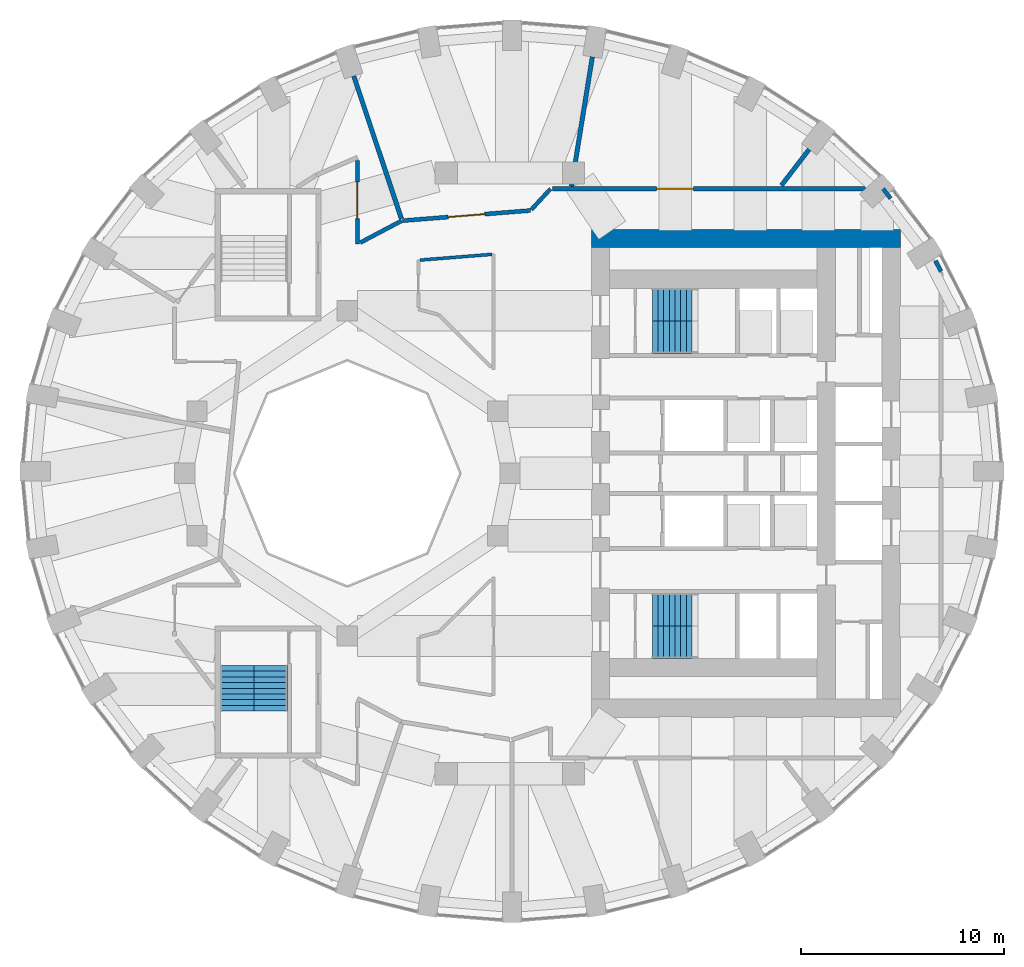
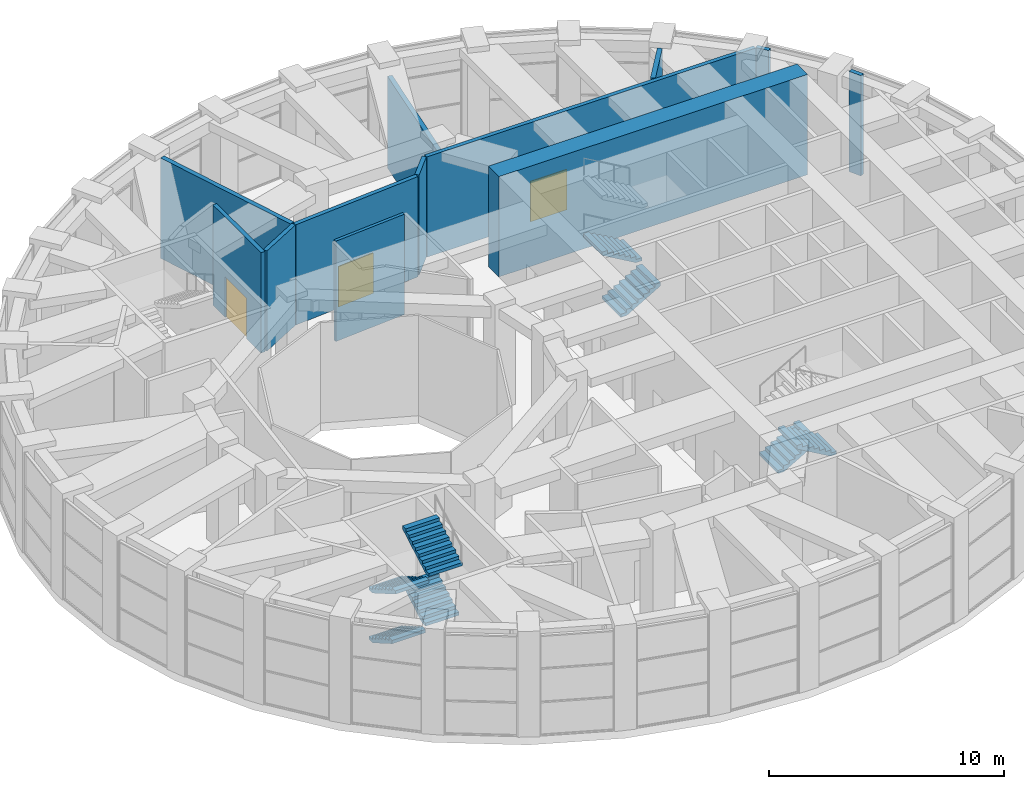
# One storey, part 14 of 17: 12 walls, 8 stair flights, 3 doors, 3 openings, 3 elements without a shape of their own.
"""IFC4 building model written with IfcOpenShell, lengths in metres."""

from ifc_helpers import new_model, si_unit, direction, frame, frame_2d, origin, place, context, subcontext, project, spatial, polyline, rectangle, outline, extrude, material, layer, layer_set, type_object, element, fill, aggregate, save


model = new_model("IFC4")

# Units and contexts
model_context = context("Model", 3, precision=1e-05, world=origin(), true_north=direction((0.0, 1.0)))
body_context = subcontext(model_context, "Body", "Model", "MODEL_VIEW")
ifc_project = project(units=[si_unit("LENGTHUNIT", "METRE"), si_unit("AREAUNIT", "SQUARE_METRE"), si_unit("VOLUMEUNIT", "CUBIC_METRE"), si_unit("PLANEANGLEUNIT", "RADIAN"), si_unit("MASSUNIT", "GRAM", prefix="KILO")], contexts=[model_context])

# Site, building, storey
site_placement = place(None, origin())
site = spatial("IfcSite", under=ifc_project, at=site_placement, CompositionType="ELEMENT")
building_placement = place(site_placement, origin())
building = spatial("IfcBuilding", under=site, at=building_placement, Name="Taillehof Tower", CompositionType="ELEMENT")
storey_placement = place(building_placement, frame((0.0, 0.0, 139.60009765625)))
storey = spatial("IfcBuildingStorey", under=building, at=storey_placement, Name="L39", CompositionType="ELEMENT", Elevation=139.60009765625)

# Wall, opening, door
ifc_material_1 = material(Name="Gypsum board on steel studs, two layers each side", Category="steel")
ifc_layer_1 = layer(ifc_material_1, 0.199951171875)
ifc_layer_set_1 = layer_set([ifc_layer_1], Name="Compartment wall corridor 200")
wall_type_1 = type_object("IfcWallType", Name="Compartment wall corridor 200", PredefinedType="PARTITIONING", material=ifc_layer_set_1)
wall_1_placement = place(storey_placement, frame((-7.5, 15.38037109375, 0.0), z_axis=(0.0, 0.0, 1.0), x_axis=(0.0, -1.0, 0.0)))
wall_1 = element("IfcWall", 1, at=wall_1_placement, inside=storey, type_object=wall_type_1, Name="Compartment wall", PredefinedType="PARTITIONING", context=body_context, shape_type="SweptSolid", body=[
    extrude(rectangle(XDim=4.103759765625, YDim=0.199951171875, at=frame_2d((2.0517578125, 0.0))), origin(), (0.0, 0.0, 1.0), 5.219970703125),
])
opening_1_placement = place(wall_1_placement, frame((1.04833984375, 0.0, 0.0)))
opening_1 = element("IfcOpeningElement", 2, at=opening_1_placement, cuts=wall_1, Name="Opening D3942", PredefinedType="OPENING", context=body_context, shape_type="SweptSolid", body=[
    extrude(rectangle(XDim=1.800048828125, YDim=2.10009765625, at=frame_2d((0.89990234375, 1.050048828125))), frame((0.0, 0.10986328125, 0.0), z_axis=(0.0, -1.0, 0.0), x_axis=(1.0, 0.0, 0.0)), (0.0, 0.0, 1.0), 0.219970703125),
])
ifc_material_2 = material(Name="Timber door leaf in steel frame", Category="steel")
door_type = type_object("IfcDoorType", Name="Lounge and meeting room double door EI 30 1800 x 2100", OperationType="SINGLE_SWING_LEFT", PredefinedType="DOOR", material=ifc_material_2)
door_1_placement = place(opening_1_placement, origin())
door_1 = element("IfcDoor", 3, at=door_1_placement, inside=storey, type_object=door_type, Name="D3942", OperationType="DOUBLE_DOOR_SINGLE_SWING", OverallHeight=2.10009765625, OverallWidth=1.800048828125, PredefinedType="DOOR", context=body_context, shape_type="SweptSolid", body=[
    extrude(rectangle(XDim=1.800048828125, YDim=2.10009765625, at=frame_2d((0.89990234375, 1.050048828125))), frame((0.0, 0.02490234375, 0.0), z_axis=(0.0, -1.0, 0.0), x_axis=(1.0, 0.0, 0.0)), (0.0, 0.0, 1.0), 0.050048828125),
])
fill(opening_1, door_1)

# Wall
wall_2_placement = place(storey_placement, frame((-7.359375, 11.350830078125, 0.0), z_axis=(0.0, 0.0, 1.0), x_axis=(0.884221521194, 0.467067769663, 0.0)))
element("IfcWall", 4, at=wall_2_placement, inside=storey, type_object=wall_type_1, Name="Compartment wall", PredefinedType="PARTITIONING", context=body_context, shape_type="SweptSolid", body=[
    extrude(rectangle(XDim=2.298828125, YDim=0.199951171875, at=frame_2d((1.1494140625, 0.0))), origin(), (0.0, 0.0, 1.0), 5.219970703125),
])

# Wall, opening, door
wall_3_placement = place(storey_placement, frame((-5.28662109375, 12.427978515625, 0.0), z_axis=(0.0, 0.0, 1.0), x_axis=(0.996833679726, 0.079514872592, 0.0)))
wall_3 = element("IfcWall", 5, at=wall_3_placement, inside=storey, type_object=wall_type_1, Name="Compartment wall", PredefinedType="PARTITIONING", context=body_context, shape_type="SweptSolid", body=[
    extrude(rectangle(XDim=6.31884765625, YDim=0.199951171875, at=frame_2d((3.159423828125, 0.0))), origin(), (0.0, 0.0, 1.0), 5.219970703125),
])
opening_2_placement = place(wall_3_placement, frame((2.259521484375, 0.0, 0.0)))
opening_2 = element("IfcOpeningElement", 6, at=opening_2_placement, cuts=wall_3, Name="Opening D3941", PredefinedType="OPENING", context=body_context, shape_type="SweptSolid", body=[
    extrude(rectangle(XDim=1.800048828125, YDim=2.10009765625, at=frame_2d((0.89990234375, 1.050048828125))), frame((0.0, 0.10986328125, 0.0), z_axis=(0.0, -1.0, 0.0), x_axis=(1.0, 0.0, 0.0)), (0.0, 0.0, 1.0), 0.219970703125),
])
door_2_placement = place(opening_2_placement, origin())
door_2 = element("IfcDoor", 7, at=door_2_placement, inside=storey, type_object=door_type, Name="D3941", OperationType="DOUBLE_DOOR_SINGLE_SWING", OverallHeight=2.10009765625, OverallWidth=1.800048828125, PredefinedType="DOOR", context=body_context, shape_type="SweptSolid", body=[
    extrude(rectangle(XDim=1.800048828125, YDim=2.10009765625, at=frame_2d((0.89990234375, 1.050048828125))), frame((0.0, 0.02490234375, 0.0), z_axis=(0.0, -1.0, 0.0), x_axis=(1.0, 0.0, 0.0)), (0.0, 0.0, 1.0), 0.050048828125),
])
fill(opening_2, door_2)

# Wall
wall_4_placement = place(storey_placement, frame((1.05322265625, 12.974365234375, 0.0), z_axis=(0.0, 0.0, 1.0), x_axis=(0.67829463173, 0.73479003298, 0.0)))
element("IfcWall", 8, at=wall_4_placement, inside=storey, type_object=wall_type_1, Name="Compartment wall", PredefinedType="PARTITIONING", context=body_context, shape_type="SweptSolid", body=[
    extrude(rectangle(XDim=1.395751953125, YDim=0.199951171875, at=frame_2d((0.69775390625, 0.0))), origin(), (0.0, 0.0, 1.0), 5.219970703125),
])

# Wall, opening, door
wall_5_placement = place(storey_placement, frame((2.080078125, 14.0, 0.0), z_axis=(0.0, 0.0, 1.0), x_axis=(1.0, 0.0, 0.0)))
wall_5 = element("IfcWall", 9, at=wall_5_placement, inside=storey, type_object=wall_type_1, Name="Compartment wall", PredefinedType="PARTITIONING", context=body_context, shape_type="SweptSolid", body=[
    extrude(rectangle(XDim=16.189208984375, YDim=0.199951171875, at=frame_2d((8.0947265625, 0.0))), origin(), (0.0, 0.0, 1.0), 5.219970703125),
])
opening_3_placement = place(wall_5_placement, frame((5.13525390625, 0.0, 0.0)))
opening_3 = element("IfcOpeningElement", 10, at=opening_3_placement, cuts=wall_5, Name="Opening D3940", PredefinedType="OPENING", context=body_context, shape_type="SweptSolid", body=[
    extrude(rectangle(XDim=1.800048828125, YDim=2.10009765625, at=frame_2d((0.89990234375, 1.050048828125))), frame((0.0, 0.10986328125, 0.0), z_axis=(0.0, -1.0, 0.0), x_axis=(1.0, 0.0, 0.0)), (0.0, 0.0, 1.0), 0.219970703125),
])
door_3_placement = place(opening_3_placement, origin())
door_3 = element("IfcDoor", 11, at=door_3_placement, inside=storey, type_object=door_type, Name="D3940", OperationType="DOUBLE_DOOR_SINGLE_SWING", OverallHeight=2.10009765625, OverallWidth=1.800048828125, PredefinedType="DOOR", context=body_context, shape_type="SweptSolid", body=[
    extrude(rectangle(XDim=1.800048828125, YDim=2.10009765625, at=frame_2d((0.89990234375, 1.050048828125))), frame((0.0, 0.02490234375, 0.0), z_axis=(0.0, -1.0, 0.0), x_axis=(1.0, 0.0, 0.0)), (0.0, 0.0, 1.0), 0.050048828125),
])
fill(opening_3, door_3)

# Walls
wall_6_placement = place(storey_placement, frame((18.3544921875, 14.0, 0.0), z_axis=(0.0, 0.0, 1.0), x_axis=(0.606619189458, -0.794992552784, 0.0)))
element("IfcWall", 12, at=wall_6_placement, inside=storey, type_object=wall_type_1, Name="Compartment wall", PredefinedType="PARTITIONING", context=body_context, shape_type="SweptSolid", body=[
    extrude(rectangle(XDim=0.60009765625, YDim=0.199951171875, at=frame_2d((0.300048828125, 0.0))), origin(), (0.0, 0.0, 1.0), 5.219970703125),
])
wall_7_placement = place(storey_placement, frame((21.199951171875, 9.92724609375, 0.0), z_axis=(0.0, 0.0, 1.0), x_axis=(-0.452901397057, 0.891560611817, 0.0)))
element("IfcWall", 13, at=wall_7_placement, inside=storey, type_object=wall_type_1, Name="Compartment wall", PredefinedType="PARTITIONING", context=body_context, shape_type="SweptSolid", body=[
    extrude(rectangle(XDim=0.599853515625, YDim=0.199951171875, at=frame_2d((0.2998046875, 0.0))), origin(), (0.0, 0.0, 1.0), 5.219970703125),
])
ifc_material_3 = material(Name="Gypsum board on double steel studs with mineral wool", Category="steel")
ifc_layer_2 = layer(ifc_material_3, 0.219970703125)
ifc_layer_set_2 = layer_set([ifc_layer_2], Name="Compartment wall guest room 220")
wall_type_2 = type_object("IfcWallType", Name="Compartment wall guest room 220", PredefinedType="PARTITIONING", material=ifc_layer_set_2)
wall_8_placement = place(storey_placement, frame((14.7158203125, 15.937255859375, 0.0), z_axis=(0.0, 0.0, 1.0), x_axis=(-0.610021701862, -0.792384706602, 0.0)))
element("IfcWall", 14, at=wall_8_placement, inside=storey, type_object=wall_type_2, Name="Compartment wall", PredefinedType="PARTITIONING", context=body_context, shape_type="SweptSolid", body=[
    extrude(rectangle(XDim=2.238525390625, YDim=0.219970703125, at=frame_2d((1.119140625, 0.0))), origin(), (0.0, 0.0, 1.0), 5.219970703125),
])
wall_9_placement = place(storey_placement, frame((4.05224609375, 20.483642578125, 0.0), z_axis=(0.0, 0.0, 1.0), x_axis=(-0.159705125946, -0.987164764741, 0.0)))
element("IfcWall", 15, at=wall_9_placement, inside=storey, type_object=wall_type_2, Name="Compartment wall", PredefinedType="PARTITIONING", context=body_context, shape_type="SweptSolid", body=[
    extrude(rectangle(XDim=6.446533203125, YDim=0.219970703125, at=frame_2d((3.22314453125, 0.0))), origin(), (0.0, 0.0, 1.0), 4.77001953125),
])
wall_10_placement = place(storey_placement, frame((-7.682861328125, 19.544921875, 0.0), z_axis=(0.0, 0.0, 1.0), x_axis=(0.316712792199, -0.948521484869, 0.0)))
element("IfcWall", 16, at=wall_10_placement, inside=storey, type_object=wall_type_2, Name="Compartment wall", PredefinedType="PARTITIONING", context=body_context, shape_type="SweptSolid", body=[
    extrude(rectangle(XDim=7.398681640625, YDim=0.219970703125, at=frame_2d((3.69921875, 0.0))), origin(), (0.0, 0.0, 1.0), 5.219970703125),
])
ifc_material_4 = material(Name="Gypsum board on steel studs, two layers each side", Category="steel")
ifc_layer_3 = layer(ifc_material_4, 0.14990234375)
ifc_layer_set_3 = layer_set([ifc_layer_3], Name="Compartment wall service room 150")
wall_type_3 = type_object("IfcWallType", Name="Compartment wall service room 150", PredefinedType="PARTITIONING", material=ifc_layer_set_3)
wall_11_placement = place(storey_placement, frame((-4.419921875, 10.490966796875, 0.0), z_axis=(0.0, 0.0, 1.0), x_axis=(0.996852986173, 0.079272466588, 0.0)))
element("IfcWall", 17, at=wall_11_placement, inside=storey, type_object=wall_type_3, Name="Compartment wall", PredefinedType="PARTITIONING", context=body_context, shape_type="SweptSolid", body=[
    extrude(rectangle(XDim=3.551025390625, YDim=0.14990234375, at=frame_2d((1.775390625, 0.0))), origin(), (0.0, 0.0, 1.0), 5.219970703125),
])
ifc_material_5 = material(Name="Concrete C80/95", Category="concrete")
ifc_layer_4 = layer(ifc_material_5, 0.89990234375)
ifc_layer_set_4 = layer_set([ifc_layer_4], Name="Core wall C80/95 900")
wall_type_4 = type_object("IfcWallType", Name="Core wall C80/95 900", PredefinedType="SHEAR", material=ifc_layer_set_4)
wall_12_placement = place(storey_placement, frame((4.0, 11.550048828125, 0.0), z_axis=(0.0, 0.0, 1.0), x_axis=(1.0, 0.0, 0.0)))
element("IfcWall", 18, at=wall_12_placement, inside=storey, type_object=wall_type_4, Name="Core wall CW03", PredefinedType="SHEAR", context=body_context, shape_type="SweptSolid", body=[
    extrude(rectangle(XDim=15.199951171875, YDim=0.89990234375, at=frame_2d((7.60009765625, 0.0))), origin(), (0.0, 0.0, 1.0), 5.219970703125),
])

# Stair, stair flights
ifc_material_6 = material(Name="Concrete C40/50", Category="concrete")
stair_type = type_object("IfcStairType", Name="Exit stair half-turn", PredefinedType="HALF_TURN_STAIR", material=ifc_material_6)
stair_1_placement = place(storey_placement, origin())
stair_1 = element("IfcStair", 19, at=stair_1_placement, inside=storey, type_object=stair_type, Name="Exit stair S1", PredefinedType="HALF_TURN_STAIR")
ifc_material_7 = material(Name="Concrete C40/50", Category="concrete")
stair_flight_type_1 = type_object("IfcStairFlightType", Name="Stair flight 1600 riser 161.8 going 280", PredefinedType="STRAIGHT", material=ifc_material_7)
stair_flight_1_placement = place(storey_placement, frame((7.0, 6.699951171875, 0.0), z_axis=(0.0, 0.0, 1.0), x_axis=(1.0, 0.0, 0.0)))
stair_flight_1 = element("IfcStairFlight", 20, at=stair_flight_1_placement, type_object=stair_flight_type_1, Name="S1 flight 1", NumberOfRisers=8, NumberOfTreads=7, PredefinedType="STRAIGHT", RiserHeight=0.161764706, TreadLength=0.28, context=body_context, shape_type="SweptSolid", body=[
    extrude(outline(polyline([(0.0, 0.0), (0.0, 0.006591796875), (0.0, 0.012939453125), (0.0, 0.01953125), (0.0, 0.02587890625), (0.0, 0.032470703125), (0.0, 0.038818359375), (0.0, 0.04541015625), (0.0, 0.0517578125), (0.0, 0.058349609375), (0.0, 0.064697265625), (0.0, 0.0712890625), (0.0, 0.07763671875), (0.0, 0.084228515625), (0.0, 0.090576171875), (0.0, 0.09716796875), (0.0, 0.103515625), (0.0, 0.110107421875), (0.0, 0.116455078125), (0.0, 0.123046875), (0.0, 0.12939453125), (0.0, 0.135986328125), (0.0, 0.142333984375), (0.0, 0.14892578125), (0.0, 0.1552734375), (0.0, 0.161865234375), (0.280029296875, 0.161865234375), (0.280029296875, 0.323486328125), (0.56005859375, 0.323486328125), (0.56005859375, 0.4853515625), (0.840087890625, 0.4853515625), (0.840087890625, 0.64697265625), (1.1201171875, 0.64697265625), (1.1201171875, 0.808837890625), (1.39990234375, 0.808837890625), (1.39990234375, 0.970703125), (1.679931640625, 0.970703125), (1.679931640625, 1.13232421875), (1.9599609375, 1.13232421875), (1.9599609375, 1.12548828125), (1.9599609375, 1.118408203125), (1.9599609375, 1.111572265625), (1.9599609375, 1.104736328125), (1.9599609375, 1.09765625), (1.9599609375, 1.0908203125), (1.9599609375, 1.083984375), (1.9599609375, 1.076904296875), (1.9599609375, 1.070068359375), (1.9599609375, 1.06298828125), (1.9599609375, 1.05615234375), (1.9599609375, 1.04931640625), (1.9599609375, 1.042236328125), (1.9599609375, 1.035400390625), (1.9599609375, 1.028564453125), (1.9599609375, 1.021484375), (1.9599609375, 1.0146484375), (1.9599609375, 1.0078125), (1.9599609375, 1.000732421875), (1.9599609375, 0.993896484375), (1.9599609375, 0.98681640625), (1.9599609375, 0.97998046875), (1.9599609375, 0.97314453125), (1.9599609375, 0.966064453125), (1.9599609375, 0.959228515625), (0.299560546875, 0.0), (0.0, 0.0)])), frame((0.0, 0.800048828125, 0.0), z_axis=(0.0, -1.0, 0.0), x_axis=(1.0, 0.0, 0.0)), (0.0, 0.0, 1.0), 1.6),
])
stair_flight_2_placement = place(storey_placement, frame((8.9599609375, 8.300048828125, 1.2939453125), z_axis=(0.0, 0.0, 1.0), x_axis=(-1.0, 0.0, 0.0)))
stair_flight_2 = element("IfcStairFlight", 21, at=stair_flight_2_placement, type_object=stair_flight_type_1, Name="S1 flight 2", NumberOfRisers=8, NumberOfTreads=7, PredefinedType="STRAIGHT", RiserHeight=0.161764706, TreadLength=0.28, context=body_context, shape_type="SweptSolid", body=[
    extrude(outline(polyline([(0.0, 0.0), (0.0, 0.006591796875), (0.0, 0.012939453125), (0.0, 0.01953125), (0.0, 0.02587890625), (0.0, 0.032470703125), (0.0, 0.038818359375), (0.0, 0.04541015625), (0.0, 0.0517578125), (0.0, 0.058349609375), (0.0, 0.064697265625), (0.0, 0.0712890625), (0.0, 0.07763671875), (0.0, 0.084228515625), (0.0, 0.090576171875), (0.0, 0.09716796875), (0.0, 0.103515625), (0.0, 0.110107421875), (0.0, 0.116455078125), (0.0, 0.123046875), (0.0, 0.12939453125), (0.0, 0.135986328125), (0.0, 0.142333984375), (0.0, 0.14892578125), (0.0, 0.1552734375), (0.0, 0.161865234375), (0.280029296875, 0.161865234375), (0.280029296875, 0.323486328125), (0.56005859375, 0.323486328125), (0.56005859375, 0.4853515625), (0.840087890625, 0.4853515625), (0.840087890625, 0.64697265625), (1.1201171875, 0.64697265625), (1.1201171875, 0.808837890625), (1.39990234375, 0.808837890625), (1.39990234375, 0.970703125), (1.679931640625, 0.970703125), (1.679931640625, 1.13232421875), (1.9599609375, 1.13232421875), (1.9599609375, 1.12548828125), (1.9599609375, 1.118408203125), (1.9599609375, 1.111572265625), (1.9599609375, 1.104736328125), (1.9599609375, 1.09765625), (1.9599609375, 1.0908203125), (1.9599609375, 1.083984375), (1.9599609375, 1.076904296875), (1.9599609375, 1.070068359375), (1.9599609375, 1.06298828125), (1.9599609375, 1.05615234375), (1.9599609375, 1.04931640625), (1.9599609375, 1.042236328125), (1.9599609375, 1.035400390625), (1.9599609375, 1.028564453125), (1.9599609375, 1.021484375), (1.9599609375, 1.0146484375), (1.9599609375, 1.0078125), (1.9599609375, 1.000732421875), (1.9599609375, 0.993896484375), (1.9599609375, 0.98681640625), (1.9599609375, 0.97998046875), (1.9599609375, 0.97314453125), (1.9599609375, 0.966064453125), (1.9599609375, 0.959228515625), (0.299560546875, 0.0), (0.0, 0.0)])), frame((0.0, 0.800048828125, 0.0), z_axis=(0.0, -1.0, 0.0), x_axis=(1.0, 0.0, 0.0)), (0.0, 0.0, 1.0), 1.6),
])
aggregate(stair_1, [stair_flight_1, stair_flight_2])

stair_2_placement = place(storey_placement, origin())
stair_2 = element("IfcStair", 22, at=stair_2_placement, inside=storey, type_object=stair_type, Name="Exit stair S2", PredefinedType="HALF_TURN_STAIR")
stair_flight_3_placement = place(storey_placement, frame((7.0, -6.699951171875, 0.0), z_axis=(0.0, 0.0, 1.0), x_axis=(1.0, 0.0, 0.0)))
stair_flight_3 = element("IfcStairFlight", 23, at=stair_flight_3_placement, type_object=stair_flight_type_1, Name="S2 flight 1", NumberOfRisers=8, NumberOfTreads=7, PredefinedType="STRAIGHT", RiserHeight=0.161764706, TreadLength=0.28, context=body_context, shape_type="SweptSolid", body=[
    extrude(outline(polyline([(0.0, 0.0), (0.0, 0.006591796875), (0.0, 0.012939453125), (0.0, 0.01953125), (0.0, 0.02587890625), (0.0, 0.032470703125), (0.0, 0.038818359375), (0.0, 0.04541015625), (0.0, 0.0517578125), (0.0, 0.058349609375), (0.0, 0.064697265625), (0.0, 0.0712890625), (0.0, 0.07763671875), (0.0, 0.084228515625), (0.0, 0.090576171875), (0.0, 0.09716796875), (0.0, 0.103515625), (0.0, 0.110107421875), (0.0, 0.116455078125), (0.0, 0.123046875), (0.0, 0.12939453125), (0.0, 0.135986328125), (0.0, 0.142333984375), (0.0, 0.14892578125), (0.0, 0.1552734375), (0.0, 0.161865234375), (0.280029296875, 0.161865234375), (0.280029296875, 0.323486328125), (0.56005859375, 0.323486328125), (0.56005859375, 0.4853515625), (0.840087890625, 0.4853515625), (0.840087890625, 0.64697265625), (1.1201171875, 0.64697265625), (1.1201171875, 0.808837890625), (1.39990234375, 0.808837890625), (1.39990234375, 0.970703125), (1.679931640625, 0.970703125), (1.679931640625, 1.13232421875), (1.9599609375, 1.13232421875), (1.9599609375, 1.12548828125), (1.9599609375, 1.118408203125), (1.9599609375, 1.111572265625), (1.9599609375, 1.104736328125), (1.9599609375, 1.09765625), (1.9599609375, 1.0908203125), (1.9599609375, 1.083984375), (1.9599609375, 1.076904296875), (1.9599609375, 1.070068359375), (1.9599609375, 1.06298828125), (1.9599609375, 1.05615234375), (1.9599609375, 1.04931640625), (1.9599609375, 1.042236328125), (1.9599609375, 1.035400390625), (1.9599609375, 1.028564453125), (1.9599609375, 1.021484375), (1.9599609375, 1.0146484375), (1.9599609375, 1.0078125), (1.9599609375, 1.000732421875), (1.9599609375, 0.993896484375), (1.9599609375, 0.98681640625), (1.9599609375, 0.97998046875), (1.9599609375, 0.97314453125), (1.9599609375, 0.966064453125), (1.9599609375, 0.959228515625), (0.299560546875, 0.0), (0.0, 0.0)])), frame((0.0, 0.800048828125, 0.0), z_axis=(0.0, -1.0, 0.0), x_axis=(1.0, 0.0, 0.0)), (0.0, 0.0, 1.0), 1.6),
])
stair_flight_4_placement = place(storey_placement, frame((8.9599609375, -8.300048828125, 1.2939453125), z_axis=(0.0, 0.0, 1.0), x_axis=(-1.0, 0.0, 0.0)))
stair_flight_4 = element("IfcStairFlight", 24, at=stair_flight_4_placement, type_object=stair_flight_type_1, Name="S2 flight 2", NumberOfRisers=8, NumberOfTreads=7, PredefinedType="STRAIGHT", RiserHeight=0.161764706, TreadLength=0.28, context=body_context, shape_type="SweptSolid", body=[
    extrude(outline(polyline([(0.0, 0.0), (0.0, 0.006591796875), (0.0, 0.012939453125), (0.0, 0.01953125), (0.0, 0.02587890625), (0.0, 0.032470703125), (0.0, 0.038818359375), (0.0, 0.04541015625), (0.0, 0.0517578125), (0.0, 0.058349609375), (0.0, 0.064697265625), (0.0, 0.0712890625), (0.0, 0.07763671875), (0.0, 0.084228515625), (0.0, 0.090576171875), (0.0, 0.09716796875), (0.0, 0.103515625), (0.0, 0.110107421875), (0.0, 0.116455078125), (0.0, 0.123046875), (0.0, 0.12939453125), (0.0, 0.135986328125), (0.0, 0.142333984375), (0.0, 0.14892578125), (0.0, 0.1552734375), (0.0, 0.161865234375), (0.280029296875, 0.161865234375), (0.280029296875, 0.323486328125), (0.56005859375, 0.323486328125), (0.56005859375, 0.4853515625), (0.840087890625, 0.4853515625), (0.840087890625, 0.64697265625), (1.1201171875, 0.64697265625), (1.1201171875, 0.808837890625), (1.39990234375, 0.808837890625), (1.39990234375, 0.970703125), (1.679931640625, 0.970703125), (1.679931640625, 1.13232421875), (1.9599609375, 1.13232421875), (1.9599609375, 1.12548828125), (1.9599609375, 1.118408203125), (1.9599609375, 1.111572265625), (1.9599609375, 1.104736328125), (1.9599609375, 1.09765625), (1.9599609375, 1.0908203125), (1.9599609375, 1.083984375), (1.9599609375, 1.076904296875), (1.9599609375, 1.070068359375), (1.9599609375, 1.06298828125), (1.9599609375, 1.05615234375), (1.9599609375, 1.04931640625), (1.9599609375, 1.042236328125), (1.9599609375, 1.035400390625), (1.9599609375, 1.028564453125), (1.9599609375, 1.021484375), (1.9599609375, 1.0146484375), (1.9599609375, 1.0078125), (1.9599609375, 1.000732421875), (1.9599609375, 0.993896484375), (1.9599609375, 0.98681640625), (1.9599609375, 0.97998046875), (1.9599609375, 0.97314453125), (1.9599609375, 0.966064453125), (1.9599609375, 0.959228515625), (0.299560546875, 0.0), (0.0, 0.0)])), frame((0.0, 0.800048828125, 0.0), z_axis=(0.0, -1.0, 0.0), x_axis=(1.0, 0.0, 0.0)), (0.0, 0.0, 1.0), 1.6),
])
aggregate(stair_2, [stair_flight_3, stair_flight_4])

stair_3_placement = place(storey_placement, origin())
stair_3 = element("IfcStair", 25, at=stair_3_placement, inside=storey, type_object=stair_type, Name="Exit stair S4", PredefinedType="HALF_TURN_STAIR")
ifc_material_8 = material(Name="Concrete C40/50", Category="concrete")
stair_flight_type_2 = type_object("IfcStairFlightType", Name="Stair flight 1650 riser 161.8 going 280", PredefinedType="STRAIGHT", material=ifc_material_8)
stair_flight_5_placement = place(storey_placement, frame((-13.425048828125, -9.449951171875, 0.0), z_axis=(0.0, 0.0, 1.0), x_axis=(0.0, -1.0, 0.0)))
stair_flight_5 = element("IfcStairFlight", 26, at=stair_flight_5_placement, type_object=stair_flight_type_2, Name="S4 flight 1", NumberOfRisers=8, NumberOfTreads=7, PredefinedType="STRAIGHT", RiserHeight=0.161764706, TreadLength=0.28, context=body_context, shape_type="SweptSolid", body=[
    extrude(outline(polyline([(0.0, 0.0), (0.0, 0.006591796875), (0.0, 0.012939453125), (0.0, 0.01953125), (0.0, 0.02587890625), (0.0, 0.032470703125), (0.0, 0.038818359375), (0.0, 0.04541015625), (0.0, 0.0517578125), (0.0, 0.058349609375), (0.0, 0.064697265625), (0.0, 0.0712890625), (0.0, 0.07763671875), (0.0, 0.084228515625), (0.0, 0.090576171875), (0.0, 0.09716796875), (0.0, 0.103515625), (0.0, 0.110107421875), (0.0, 0.116455078125), (0.0, 0.123046875), (0.0, 0.12939453125), (0.0, 0.135986328125), (0.0, 0.142333984375), (0.0, 0.14892578125), (0.0, 0.1552734375), (0.0, 0.161865234375), (0.280029296875, 0.161865234375), (0.280029296875, 0.323486328125), (0.56005859375, 0.323486328125), (0.56005859375, 0.4853515625), (0.840087890625, 0.4853515625), (0.840087890625, 0.64697265625), (1.1201171875, 0.64697265625), (1.1201171875, 0.808837890625), (1.39990234375, 0.808837890625), (1.39990234375, 0.970703125), (1.679931640625, 0.970703125), (1.679931640625, 1.13232421875), (1.9599609375, 1.13232421875), (1.9599609375, 1.12548828125), (1.9599609375, 1.118408203125), (1.9599609375, 1.111572265625), (1.9599609375, 1.104736328125), (1.9599609375, 1.09765625), (1.9599609375, 1.0908203125), (1.9599609375, 1.083984375), (1.9599609375, 1.076904296875), (1.9599609375, 1.070068359375), (1.9599609375, 1.06298828125), (1.9599609375, 1.05615234375), (1.9599609375, 1.04931640625), (1.9599609375, 1.042236328125), (1.9599609375, 1.035400390625), (1.9599609375, 1.028564453125), (1.9599609375, 1.021484375), (1.9599609375, 1.0146484375), (1.9599609375, 1.0078125), (1.9599609375, 1.000732421875), (1.9599609375, 0.993896484375), (1.9599609375, 0.98681640625), (1.9599609375, 0.97998046875), (1.9599609375, 0.97314453125), (1.9599609375, 0.966064453125), (1.9599609375, 0.959228515625), (0.299560546875, 0.0), (0.0, 0.0)])), frame((0.0, 0.824951171875, 0.0), z_axis=(0.0, -1.0, 0.0), x_axis=(1.0, 0.0, 0.0)), (0.0, 0.0, 1.0), 1.65),
])
stair_flight_6_placement = place(storey_placement, frame((-11.77490234375, -11.409912109375, 1.2939453125), z_axis=(0.0, 0.0, 1.0), x_axis=(0.0, 1.0, 0.0)))
stair_flight_6 = element("IfcStairFlight", 27, at=stair_flight_6_placement, type_object=stair_flight_type_2, Name="S4 flight 2", NumberOfRisers=8, NumberOfTreads=7, PredefinedType="STRAIGHT", RiserHeight=0.161764706, TreadLength=0.28, context=body_context, shape_type="SweptSolid", body=[
    extrude(outline(polyline([(0.0, 0.0), (0.0, 0.006591796875), (0.0, 0.012939453125), (0.0, 0.01953125), (0.0, 0.02587890625), (0.0, 0.032470703125), (0.0, 0.038818359375), (0.0, 0.04541015625), (0.0, 0.0517578125), (0.0, 0.058349609375), (0.0, 0.064697265625), (0.0, 0.0712890625), (0.0, 0.07763671875), (0.0, 0.084228515625), (0.0, 0.090576171875), (0.0, 0.09716796875), (0.0, 0.103515625), (0.0, 0.110107421875), (0.0, 0.116455078125), (0.0, 0.123046875), (0.0, 0.12939453125), (0.0, 0.135986328125), (0.0, 0.142333984375), (0.0, 0.14892578125), (0.0, 0.1552734375), (0.0, 0.161865234375), (0.280029296875, 0.161865234375), (0.280029296875, 0.323486328125), (0.56005859375, 0.323486328125), (0.56005859375, 0.4853515625), (0.840087890625, 0.4853515625), (0.840087890625, 0.64697265625), (1.1201171875, 0.64697265625), (1.1201171875, 0.808837890625), (1.39990234375, 0.808837890625), (1.39990234375, 0.970703125), (1.679931640625, 0.970703125), (1.679931640625, 1.13232421875), (1.9599609375, 1.13232421875), (1.9599609375, 1.12548828125), (1.9599609375, 1.118408203125), (1.9599609375, 1.111572265625), (1.9599609375, 1.104736328125), (1.9599609375, 1.09765625), (1.9599609375, 1.0908203125), (1.9599609375, 1.083984375), (1.9599609375, 1.076904296875), (1.9599609375, 1.070068359375), (1.9599609375, 1.06298828125), (1.9599609375, 1.05615234375), (1.9599609375, 1.04931640625), (1.9599609375, 1.042236328125), (1.9599609375, 1.035400390625), (1.9599609375, 1.028564453125), (1.9599609375, 1.021484375), (1.9599609375, 1.0146484375), (1.9599609375, 1.0078125), (1.9599609375, 1.000732421875), (1.9599609375, 0.993896484375), (1.9599609375, 0.98681640625), (1.9599609375, 0.97998046875), (1.9599609375, 0.97314453125), (1.9599609375, 0.966064453125), (1.9599609375, 0.959228515625), (0.299560546875, 0.0), (0.0, 0.0)])), frame((0.0, 0.824951171875, 0.0), z_axis=(0.0, -1.0, 0.0), x_axis=(1.0, 0.0, 0.0)), (0.0, 0.0, 1.0), 1.65),
])
stair_flight_7_placement = place(storey_placement, frame((-13.425048828125, -9.449951171875, 2.588134765625), z_axis=(0.0, 0.0, 1.0), x_axis=(0.0, -1.0, 0.0)))
stair_flight_7 = element("IfcStairFlight", 28, at=stair_flight_7_placement, type_object=stair_flight_type_2, Name="S4 flight 3", NumberOfRisers=9, NumberOfTreads=8, PredefinedType="STRAIGHT", RiserHeight=0.161764706, TreadLength=0.28, context=body_context, shape_type="SweptSolid", body=[
    extrude(outline(polyline([(0.0, 0.0), (0.0, 0.005859375), (0.0, 0.011474609375), (0.0, 0.017333984375), (0.0, 0.023193359375), (0.0, 0.02880859375), (0.0, 0.03466796875), (0.0, 0.04052734375), (0.0, 0.046142578125), (0.0, 0.052001953125), (0.0, 0.057861328125), (0.0, 0.0634765625), (0.0, 0.0693359375), (0.0, 0.0751953125), (0.0, 0.080810546875), (0.0, 0.086669921875), (0.0, 0.092529296875), (0.0, 0.09814453125), (0.0, 0.10400390625), (0.0, 0.10986328125), (0.0, 0.115478515625), (0.0, 0.121337890625), (0.0, 0.127197265625), (0.0, 0.1328125), (0.0, 0.138671875), (0.0, 0.14453125), (0.0, 0.150146484375), (0.0, 0.156005859375), (0.0, 0.161865234375), (0.280029296875, 0.161865234375), (0.280029296875, 0.323486328125), (0.56005859375, 0.323486328125), (0.56005859375, 0.4853515625), (0.840087890625, 0.4853515625), (0.840087890625, 0.64697265625), (1.1201171875, 0.64697265625), (1.1201171875, 0.808837890625), (1.39990234375, 0.808837890625), (1.39990234375, 0.970703125), (1.679931640625, 0.970703125), (1.679931640625, 1.13232421875), (1.9599609375, 1.13232421875), (1.9599609375, 1.294189453125), (2.239990234375, 1.294189453125), (2.239990234375, 1.287841796875), (2.239990234375, 1.28173828125), (2.239990234375, 1.275634765625), (2.239990234375, 1.269287109375), (2.239990234375, 1.26318359375), (2.239990234375, 1.257080078125), (2.239990234375, 1.250732421875), (2.239990234375, 1.24462890625), (2.239990234375, 1.238525390625), (2.239990234375, 1.232177734375), (2.239990234375, 1.22607421875), (2.239990234375, 1.219970703125), (2.239990234375, 1.213623046875), (2.239990234375, 1.20751953125), (2.239990234375, 1.201416015625), (2.239990234375, 1.1953125), (2.239990234375, 1.18896484375), (2.239990234375, 1.182861328125), (2.239990234375, 1.1767578125), (2.239990234375, 1.17041015625), (2.239990234375, 1.164306640625), (2.239990234375, 1.158203125), (2.239990234375, 1.15185546875), (2.239990234375, 1.145751953125), (2.239990234375, 1.1396484375), (2.239990234375, 1.13330078125), (2.239990234375, 1.127197265625), (2.239990234375, 1.12109375), (0.299560546875, 0.0), (0.0, 0.0)])), frame((0.0, 0.824951171875, 0.0), z_axis=(0.0, -1.0, 0.0), x_axis=(1.0, 0.0, 0.0)), (0.0, 0.0, 1.0), 1.65),
])
stair_flight_8_placement = place(storey_placement, frame((-11.77490234375, -11.68994140625, 4.0439453125), z_axis=(0.0, 0.0, 1.0), x_axis=(0.0, 1.0, 0.0)))
stair_flight_8 = element("IfcStairFlight", 29, at=stair_flight_8_placement, type_object=stair_flight_type_2, Name="S4 flight 4", NumberOfRisers=9, NumberOfTreads=8, PredefinedType="STRAIGHT", RiserHeight=0.161764706, TreadLength=0.28, context=body_context, shape_type="SweptSolid", body=[
    extrude(outline(polyline([(0.0, 0.0), (0.0, 0.005859375), (0.0, 0.011474609375), (0.0, 0.017333984375), (0.0, 0.023193359375), (0.0, 0.02880859375), (0.0, 0.03466796875), (0.0, 0.04052734375), (0.0, 0.046142578125), (0.0, 0.052001953125), (0.0, 0.057861328125), (0.0, 0.0634765625), (0.0, 0.0693359375), (0.0, 0.0751953125), (0.0, 0.080810546875), (0.0, 0.086669921875), (0.0, 0.092529296875), (0.0, 0.09814453125), (0.0, 0.10400390625), (0.0, 0.10986328125), (0.0, 0.115478515625), (0.0, 0.121337890625), (0.0, 0.127197265625), (0.0, 0.1328125), (0.0, 0.138671875), (0.0, 0.14453125), (0.0, 0.150146484375), (0.0, 0.156005859375), (0.0, 0.161865234375), (0.280029296875, 0.161865234375), (0.280029296875, 0.323486328125), (0.56005859375, 0.323486328125), (0.56005859375, 0.4853515625), (0.840087890625, 0.4853515625), (0.840087890625, 0.64697265625), (1.1201171875, 0.64697265625), (1.1201171875, 0.808837890625), (1.39990234375, 0.808837890625), (1.39990234375, 0.970703125), (1.679931640625, 0.970703125), (1.679931640625, 1.13232421875), (1.9599609375, 1.13232421875), (1.9599609375, 1.294189453125), (2.239990234375, 1.294189453125), (2.239990234375, 1.287841796875), (2.239990234375, 1.28173828125), (2.239990234375, 1.275634765625), (2.239990234375, 1.269287109375), (2.239990234375, 1.26318359375), (2.239990234375, 1.257080078125), (2.239990234375, 1.250732421875), (2.239990234375, 1.24462890625), (2.239990234375, 1.238525390625), (2.239990234375, 1.232177734375), (2.239990234375, 1.22607421875), (2.239990234375, 1.219970703125), (2.239990234375, 1.213623046875), (2.239990234375, 1.20751953125), (2.239990234375, 1.201416015625), (2.239990234375, 1.1953125), (2.239990234375, 1.18896484375), (2.239990234375, 1.182861328125), (2.239990234375, 1.1767578125), (2.239990234375, 1.17041015625), (2.239990234375, 1.164306640625), (2.239990234375, 1.158203125), (2.239990234375, 1.15185546875), (2.239990234375, 1.145751953125), (2.239990234375, 1.1396484375), (2.239990234375, 1.13330078125), (2.239990234375, 1.127197265625), (2.239990234375, 1.12109375), (0.299560546875, 0.0), (0.0, 0.0)])), frame((0.0, 0.824951171875, 0.0), z_axis=(0.0, -1.0, 0.0), x_axis=(1.0, 0.0, 0.0)), (0.0, 0.0, 1.0), 1.65),
])
aggregate(stair_3, [stair_flight_5, stair_flight_6, stair_flight_7, stair_flight_8])

save(model, "model.ifc")
